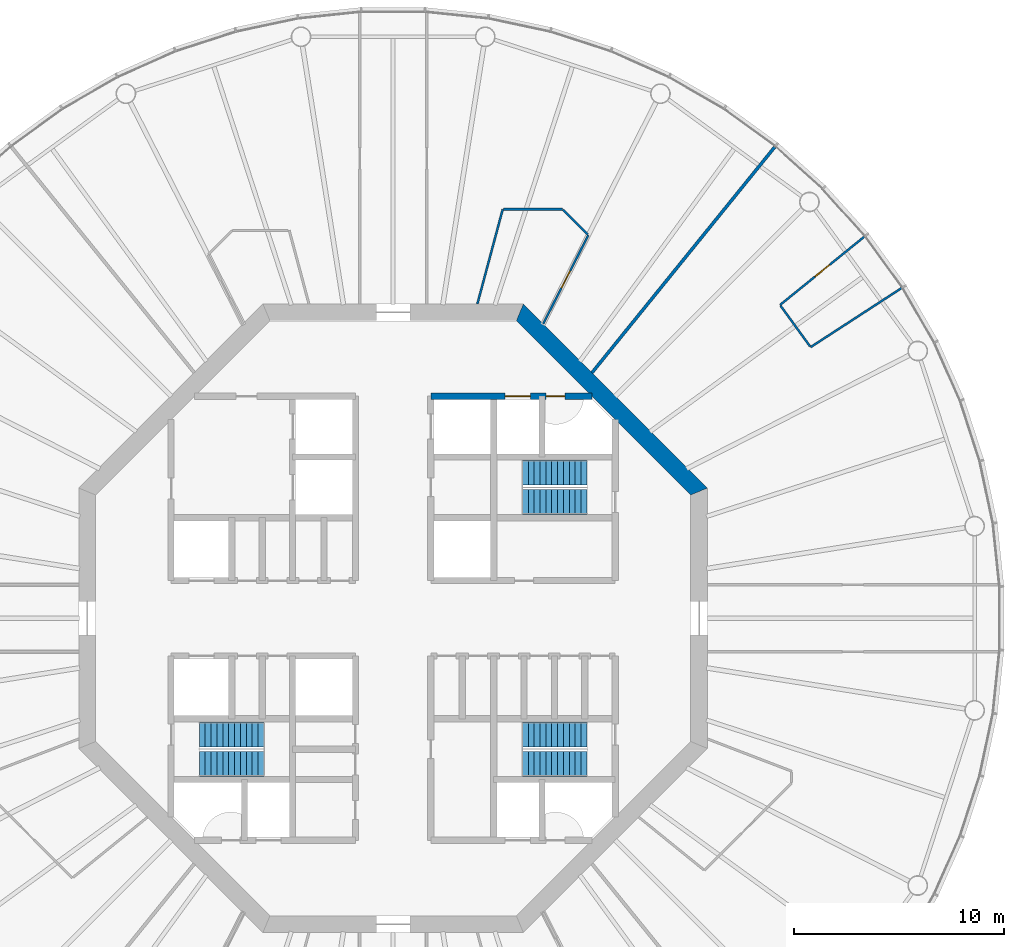
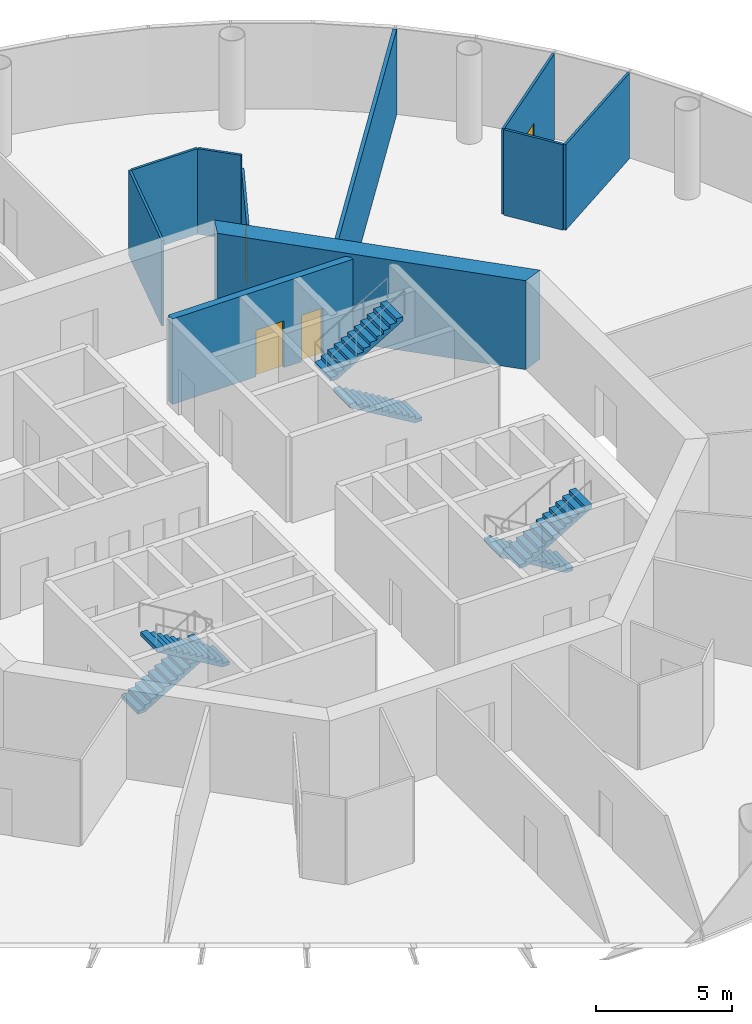
# One storey, part 6 of 13: 10 walls, 6 stair flights, 4 doors, 4 openings, 3 elements without a shape of their own.
"""IFC4 building model written with IfcOpenShell, lengths in metres."""

import ifcopenshell
import ifcopenshell.guid

model = None  # the IFC model being written
_history = None  # IfcOwnerHistory: only IFC2X3 demands one
_inside = {}  # id of a spatial element -> (the spatial element, [elements in it])
_under = {}  # id of a project, library or spatial element -> (it, [spatial elements below it])
_declared = {}  # id of a project -> (the project, [libraries it declares])
_typed = {}  # id of a type object -> (the type object, [elements of that type])
_made_of = {}  # id of a material, layer set ... -> (it, [elements and type objects made of it])


def new_model(schema):
    """Start an empty IFC model of exactly this schema.

    Asked for "IFC4X3", IfcOpenShell would pick the latest addendum, in which some entities
    have other attributes; the version numbers below select the first issue.
    IFC2X3 requires an IfcOwnerHistory on every rooted entity: one is made here for all.
    """
    global model, _history
    if schema == "IFC4X3":
        model = ifcopenshell.file(schema_version=(4, 3, 0, 0))
    else:
        model = ifcopenshell.file(schema=schema)
    _inside.clear()
    _under.clear()
    _declared.clear()
    _typed.clear()
    _made_of.clear()
    _history = None
    if model.schema == "IFC2X3":
        org = make("IfcOrganization", Name="unknown")
        user = make(
            "IfcPersonAndOrganization",
            ThePerson=make("IfcPerson", FamilyName="unknown"),
            TheOrganization=org,
        )
        app = make(
            "IfcApplication",
            ApplicationDeveloper=org,
            Version="unknown",
            ApplicationFullName="unknown",
            ApplicationIdentifier="unknown",
        )
        _history = make(
            "IfcOwnerHistory",
            OwningUser=user,
            OwningApplication=app,
            ChangeAction="ADDED",
            CreationDate=0,
        )
    return model


def make(cls, **values):
    """One entity of the class cls with the attributes given. An attribute that is None is left unset."""
    return model.create_entity(
        cls, **{name: value for name, value in values.items() if value is not None}
    )


def rooted(cls, **values):
    """An entity with a GlobalId (a new one), such as an element, a storey or a relation."""
    return make(cls, GlobalId=ifcopenshell.guid.new(), OwnerHistory=_history, **values)


def si_unit(unit_type, name, prefix=None):
    """IfcSIUnit, for example si_unit("LENGTHUNIT", "METRE", prefix="MILLI")."""
    return make("IfcSIUnit", UnitType=unit_type, Prefix=prefix, Name=name)


def assignment(units):
    """IfcUnitAssignment: the units of a project."""
    return None if units is None else make("IfcUnitAssignment", Units=units)


def point(xyz):
    """IfcCartesianPoint."""
    return None if xyz is None else make("IfcCartesianPoint", Coordinates=xyz)


def direction(xyz):
    """IfcDirection."""
    return None if xyz is None else make("IfcDirection", DirectionRatios=xyz)


def frame(location, z_axis=None, x_axis=None):
    """IfcAxis2Placement3D, a coordinate frame: its origin and axes. An axis left out is left unset."""
    return make(
        "IfcAxis2Placement3D",
        Location=point(location),
        Axis=direction(z_axis),
        RefDirection=direction(x_axis),
    )


def frame_2d(location, x_axis=None):
    """IfcAxis2Placement2D, a coordinate frame in the plane: its origin and x axis."""
    return make(
        "IfcAxis2Placement2D", Location=point(location), RefDirection=direction(x_axis)
    )


def origin():
    """The frame at (0, 0, 0) with its axes left unset."""
    return frame((0.0, 0.0, 0.0))


def place(relative_to, where):
    """IfcLocalPlacement: puts the frame where relative to a parent placement (None: the world)."""
    return make(
        "IfcLocalPlacement", PlacementRelTo=relative_to, RelativePlacement=where
    )


def context(
    kind, dimensions, precision=None, world=None, true_north=None, identifier=None
):
    """IfcGeometricRepresentationContext, for example the 3D "Model" context."""
    return make(
        "IfcGeometricRepresentationContext",
        ContextIdentifier=identifier,
        ContextType=kind,
        CoordinateSpaceDimension=dimensions,
        Precision=precision,
        WorldCoordinateSystem=world,
        TrueNorth=true_north,
    )


def subcontext(parent, identifier, kind, view, scale=None):
    """IfcGeometricRepresentationSubContext, for example "Body" below "Model"."""
    return make(
        "IfcGeometricRepresentationSubContext",
        ContextIdentifier=identifier,
        ContextType=kind,
        ParentContext=parent,
        TargetScale=scale,
        TargetView=view,
    )


def project(units=None, contexts=None):
    """IfcProject with its units and contexts."""
    return rooted(
        "IfcProject",
        Name="project",
        RepresentationContexts=contexts,
        UnitsInContext=assignment(units),
    )


def spatial(cls, under=None, at=None, **own):
    """A site, building, storey or space (cls), placed at a placement, below another one or the project."""
    s = rooted(cls, ObjectPlacement=at, **own)
    if under is not None:
        _under.setdefault(under.id(), (under, []))[1].append(s)
    return s


def polyline(points):
    """IfcPolyline through the points."""
    return make("IfcPolyline", Points=[point(p) for p in points])


def profile(cls, at=None, kind="AREA", **sizes):
    """A parametric profile (cls). Its sizes go by their IFC names, for example OverallWidth=200.0."""
    return make(cls, ProfileType=kind, Position=at, **sizes)


def rectangle(**sizes):
    """IfcRectangleProfileDef."""
    return profile("IfcRectangleProfileDef", **sizes)


def outline(outer, holes=None, kind="AREA"):
    """IfcArbitraryClosedProfileDef: a profile drawn as a closed curve; with holes, ...WithVoids."""
    if holes is None:
        return make("IfcArbitraryClosedProfileDef", ProfileType=kind, OuterCurve=outer)
    return make(
        "IfcArbitraryProfileDefWithVoids",
        ProfileType=kind,
        OuterCurve=outer,
        InnerCurves=holes,
    )


def extrude(swept, where, along, depth):
    """IfcExtrudedAreaSolid: the profile swept, set in the frame where, extruded along a direction by depth."""
    return make(
        "IfcExtrudedAreaSolid",
        SweptArea=swept,
        Position=where,
        ExtrudedDirection=direction(along),
        Depth=depth,
    )


def shape(context_of_items, identifier, shape_type, items):
    """IfcShapeRepresentation: the items that make up one representation, for example the "Body"."""
    return make(
        "IfcShapeRepresentation",
        ContextOfItems=context_of_items,
        RepresentationIdentifier=identifier,
        RepresentationType=shape_type,
        Items=items,
    )


def material(Name=None, Category=None):
    """IfcMaterial."""
    return make("IfcMaterial", Name=Name, Category=Category)


def layer(
    of_material, thickness, ventilated=None, Name=None, Category=None, Priority=None
):
    """IfcMaterialLayer: one layer of a wall or slab, of a material (None: an air gap)."""
    return make(
        "IfcMaterialLayer",
        Material=of_material,
        LayerThickness=thickness,
        IsVentilated=ventilated,
        Name=Name,
        Category=Category,
        Priority=Priority,
    )


def layer_set(layers, Name=None):
    """IfcMaterialLayerSet."""
    return make("IfcMaterialLayerSet", MaterialLayers=layers, LayerSetName=Name)


def made_of(thing, what):
    """Note that an element or type object is made of a material, layer set ...; save() writes the relation."""
    if what is not None:
        _made_of.setdefault(what.id(), (what, []))[1].append(thing)
    return thing


def type_object(cls, material=None, **own):
    """A type object (cls), such as IfcWallType, which elements share."""
    return made_of(rooted(cls, **own), material)


def element(
    cls,
    number,
    at=None,
    inside=None,
    cuts=None,
    type_object=None,
    material=None,
    context=None,
    identifier="Body",
    shape_type=None,
    held_by="IfcProductDefinitionShape",
    body=None,
    shapes=None,
    **own,
):
    """One element of the class cls, such as IfcWall. Its Tag is "e" and its number.

    at: its placement. inside: the storey or other place that contains it. cuts: it is an
    opening in that element (IfcRelVoidsElement). A single representation is given by context,
    identifier, shape_type and body (its items); several are given by shapes. held_by: the class
    of the entity that holds the representations. save() writes the other relations.
    """
    e = rooted(cls, Tag="e%d" % number, ObjectPlacement=at, **own)
    if body is not None:
        shapes = [shape(context, identifier, shape_type, body)]
    if shapes is not None:
        e.Representation = make(held_by, Representations=shapes)
    if inside is not None:
        _inside.setdefault(inside.id(), (inside, []))[1].append(e)
    if cuts is not None:
        rooted(
            "IfcRelVoidsElement", RelatingBuildingElement=cuts, RelatedOpeningElement=e
        )
    if type_object is not None:
        _typed.setdefault(type_object.id(), (type_object, []))[1].append(e)
    return made_of(e, material)


def fill(opening, filler):
    """IfcRelFillsElement: the door or window that sits in an opening."""
    return rooted(
        "IfcRelFillsElement",
        RelatingOpeningElement=opening,
        RelatedBuildingElement=filler,
    )


def aggregate(whole, parts):
    """IfcRelAggregates: a whole, such as a stair, and the parts it consists of."""
    return rooted("IfcRelAggregates", RelatingObject=whole, RelatedObjects=parts)


def save(model, path):
    """Write the relations noted so far, then the file.

    IfcRelAggregates (storeys below a building ...), IfcRelContainedInSpatialStructure (elements
    in a storey), IfcRelDefinesByType, IfcRelAssociatesMaterial and IfcRelDeclares: one each for
    every whole, place, type object, material and project.
    """
    for whole, parts in _under.values():
        aggregate(whole, parts)
    for where, things in _inside.values():
        rooted(
            "IfcRelContainedInSpatialStructure",
            RelatedElements=things,
            RelatingStructure=where,
        )
    for kind, things in _typed.values():
        rooted("IfcRelDefinesByType", RelatedObjects=things, RelatingType=kind)
    for what, things in _made_of.values():
        rooted("IfcRelAssociatesMaterial", RelatedObjects=things, RelatingMaterial=what)
    for by, libraries in _declared.values():
        rooted("IfcRelDeclares", RelatingContext=by, RelatedDefinitions=libraries)
    model.write(path)


model = new_model("IFC4")

# Units and contexts
model_context = context("Model", 3, precision=1e-05, world=origin(), true_north=direction((0.0, 1.0)))
body_context = subcontext(model_context, "Body", "Model", "MODEL_VIEW")
ifc_project = project(units=[si_unit("LENGTHUNIT", "METRE"), si_unit("AREAUNIT", "SQUARE_METRE"), si_unit("VOLUMEUNIT", "CUBIC_METRE"), si_unit("PLANEANGLEUNIT", "RADIAN"), si_unit("MASSUNIT", "GRAM", prefix="KILO")], contexts=[model_context])

# Site, building, storey
site_placement = place(None, origin())
site = spatial("IfcSite", under=ifc_project, at=site_placement, CompositionType="ELEMENT")
building_placement = place(site_placement, origin())
building = spatial("IfcBuilding", under=site, at=building_placement, Name="Entoto Ring Tower", CompositionType="ELEMENT")
storey_placement = place(building_placement, frame((0.0, 0.0, 286.0)))
storey = spatial("IfcBuildingStorey", under=building, at=storey_placement, Name="L65", CompositionType="ELEMENT", Elevation=286.0)

# Wall, openings, doors
ifc_material_1 = material(Name="Concrete C40/50", Category="concrete")
ifc_layer_1 = layer(ifc_material_1, 0.300048828125)
ifc_layer_set_1 = layer_set([ifc_layer_1], Name="Concrete C40/50")
wall_type_1 = type_object("IfcWallType", Name="Core enclosure wall 300 mm reinforced concrete", PredefinedType="SOLIDWALL", material=ifc_layer_set_1)
wall_1_placement = place(storey_placement, frame((91.800048828125, 90.60009765625, 0.0), z_axis=(0.0, 0.0, 1.0), x_axis=(1.0, 0.0, 0.0)))
wall_1 = element("IfcWall", 1, at=wall_1_placement, inside=storey, type_object=wall_type_1, Name="wall-L65-041", PredefinedType="SOLIDWALL", context=body_context, shape_type="SweptSolid", body=[
    extrude(rectangle(XDim=7.681640625, YDim=0.300048828125, at=frame_2d((3.8408203125, 0.0))), origin(), (0.0, 0.0, 1.0), 3.85009765625),
])
opening_1_placement = place(wall_1_placement, frame((3.550048828125, 0.0, 0.0)))
opening_1 = element("IfcOpeningElement", 2, at=opening_1_placement, cuts=wall_1, Name="Opening LD", PredefinedType="OPENING", context=body_context, shape_type="SweptSolid", body=[
    extrude(rectangle(XDim=1.199951171875, YDim=2.10009765625, at=frame_2d((0.60009765625, 1.050048828125))), frame((0.0, 0.16015625, 0.0), z_axis=(0.0, -1.0, 0.0), x_axis=(1.0, 0.0, 0.0)), (0.0, 0.0, 1.0), 0.320068359375),
])
opening_2_placement = place(wall_1_placement, frame((5.5, 0.0, 0.0)))
opening_2 = element("IfcOpeningElement", 3, at=opening_2_placement, cuts=wall_1, Name="Opening K-32", PredefinedType="OPENING", context=body_context, shape_type="SweptSolid", body=[
    extrude(rectangle(XDim=0.89990234375, YDim=2.10009765625, at=frame_2d((0.449951171875, 1.050048828125))), frame((0.0, 0.16015625, 0.0), z_axis=(0.0, -1.0, 0.0), x_axis=(1.0, 0.0, 0.0)), (0.0, 0.0, 1.0), 0.320068359375),
])
ifc_material_2 = material(Name="Steel and glass door leaf", Category="steel")
ifc_layer_2 = layer(ifc_material_2, 0.050048828125)
ifc_layer_set_2 = layer_set([ifc_layer_2], Name="Steel and glass door leaf")
door_type_1 = type_object("IfcDoorType", Name="Landing door 1200 x 2100 sliding", OperationType="DOUBLE_DOOR_SLIDING", PredefinedType="DOOR", material=ifc_layer_set_2)
door_1_placement = place(opening_1_placement, origin())
door_1 = element("IfcDoor", 4, at=door_1_placement, inside=storey, type_object=door_type_1, Name="Landing door LB1-HR", OperationType="SLIDING_TO_RIGHT", OverallHeight=2.10009765625, OverallWidth=1.199951171875, PredefinedType="DOOR", context=body_context, shape_type="SweptSolid", body=[
    extrude(rectangle(XDim=1.199951171875, YDim=2.10009765625, at=frame_2d((0.60009765625, 1.050048828125))), frame((0.0, 0.02490234375, 0.0), z_axis=(0.0, -1.0, 0.0), x_axis=(1.0, 0.0, 0.0)), (0.0, 0.0, 1.0), 0.050048828125),
])
fill(opening_1, door_1)
ifc_material_3 = material(Name="Steel door leaf, fire rated", Category="steel")
ifc_layer_3 = layer(ifc_material_3, 0.050048828125)
ifc_layer_set_3 = layer_set([ifc_layer_3], Name="Steel door leaf, fire rated")
door_type_2 = type_object("IfcDoorType", Name="Riser door FD60 900 x 2100 single leaf", OperationType="NOTDEFINED", PredefinedType="DOOR", material=ifc_layer_set_3)
door_2_placement = place(opening_2_placement, frame((0.89990234375, 0.0, 0.0), z_axis=(0.0, 0.0, 1.0), x_axis=(-1.0, 0.0, 0.0)))
door_2 = element("IfcDoor", 5, at=door_2_placement, inside=storey, type_object=door_type_2, Name="Door K-32", OperationType="SINGLE_SWING_RIGHT", OverallHeight=2.10009765625, OverallWidth=0.89990234375, PredefinedType="DOOR", context=body_context, shape_type="SweptSolid", body=[
    extrude(rectangle(XDim=0.89990234375, YDim=2.10009765625, at=frame_2d((0.449951171875, 1.050048828125))), frame((0.0, 0.02490234375, 0.0), z_axis=(0.0, -1.0, 0.0), x_axis=(1.0, 0.0, 0.0)), (0.0, 0.0, 1.0), 0.050048828125),
])
fill(opening_2, door_2)

# Wall
ifc_material_4 = material(Name="Concrete C40/50", Category="concrete")
ifc_layer_4 = layer(ifc_material_4, 0.800048828125)
ifc_layer_set_4 = layer_set([ifc_layer_4], Name="Concrete C40/50")
wall_type_2 = type_object("IfcWallType", Name="Core shear wall 800 mm reinforced concrete C40/50", PredefinedType="SHEAR", material=ifc_layer_set_4)
wall_2_placement = place(storey_placement, frame((104.60009765625, 86.047607421875, 0.0), z_axis=(0.0, 0.0, 1.0), x_axis=(-0.707106781187, 0.707106781187, 0.0)))
element("IfcWall", 6, at=wall_2_placement, inside=storey, type_object=wall_type_2, Name="wall-L65-core-1", PredefinedType="SHEAR", context=body_context, shape_type="SweptSolid", body=[
    extrude(outline(polyline([(-0.165771484375, -0.39990234375), (12.2607421875, -0.39990234375), (11.92919921875, 0.39990234375), (0.165771484375, 0.39990234375), (-0.165771484375, -0.39990234375)])), origin(), (0.0, 0.0, 1.0), 4.0),
])

# Wall, opening, door
ifc_material_5 = material(Name="Plasterboard on steel studs", Category="steel")
ifc_layer_5 = layer(ifc_material_5, 0.10009765625)
ifc_layer_set_5 = layer_set([ifc_layer_5], Name="Plasterboard on steel studs")
wall_type_3 = type_object("IfcWallType", Name="Partition 100 mm plasterboard on steel studs", PredefinedType="PARTITIONING", material=ifc_layer_set_5)
wall_3_placement = place(storey_placement, frame((108.465087890625, 94.95263671875, 0.0), z_axis=(0.0, 0.0, 1.0), x_axis=(0.777139487063, 0.629328386176, 0.0)))
wall_3 = element("IfcWall", 7, at=wall_3_placement, inside=storey, type_object=wall_type_3, Name="partition-L65-015", PredefinedType="PARTITIONING", context=body_context, shape_type="SweptSolid", body=[
    extrude(rectangle(XDim=5.1796875, YDim=0.10009765625, at=frame_2d((2.58984375, 0.0))), origin(), (0.0, 0.0, 1.0), 3.85009765625),
])
opening_3_placement = place(wall_3_placement, frame((2.139892578125, 0.0, 0.0)))
opening_3 = element("IfcOpeningElement", 8, at=opening_3_placement, cuts=wall_3, Name="Opening A29-D02", PredefinedType="OPENING", context=body_context, shape_type="SweptSolid", body=[
    extrude(rectangle(XDim=0.89990234375, YDim=2.10009765625, at=frame_2d((0.449951171875, 1.050048828125))), frame((0.0, 0.06005859375, 0.0), z_axis=(0.0, -1.0, 0.0), x_axis=(1.0, 0.0, 0.0)), (0.0, 0.0, 1.0), 0.1201171875),
])
ifc_material_6 = material(Name="Veneered timber door leaf in timber frame", Category="wood")
door_type_3 = type_object("IfcDoorType", Name="Door 900 x 2100 single leaf timber veneer", OperationType="NOTDEFINED", PredefinedType="DOOR", material=ifc_material_6)
door_3_placement = place(opening_3_placement, frame((0.89990234375, 0.0, 0.0), z_axis=(0.0, 0.0, 1.0), x_axis=(-1.0, 0.0, 0.0)))
door_3 = element("IfcDoor", 9, at=door_3_placement, inside=storey, type_object=door_type_3, Name="Door A29-D02", OperationType="SINGLE_SWING_LEFT", OverallHeight=2.10009765625, OverallWidth=0.89990234375, PredefinedType="DOOR", context=body_context, shape_type="SweptSolid", body=[
    extrude(rectangle(XDim=0.89990234375, YDim=2.10009765625, at=frame_2d((0.449951171875, 1.050048828125))), frame((0.0, 0.02490234375, 0.0), z_axis=(0.0, -1.0, 0.0), x_axis=(1.0, 0.0, 0.0)), (0.0, 0.0, 1.0), 0.050048828125),
])
fill(opening_3, door_3)

# Walls
wall_4_placement = place(storey_placement, frame((109.9267578125, 92.940673828125, 0.0), z_axis=(0.0, 0.0, 1.0), x_axis=(0.838661067594, 0.544653663994, 0.0)))
element("IfcWall", 10, at=wall_4_placement, inside=storey, type_object=wall_type_3, Name="partition-L65-016", PredefinedType="PARTITIONING", context=body_context, shape_type="SweptSolid", body=[
    extrude(rectangle(XDim=5.179931640625, YDim=0.10009765625, at=frame_2d((2.58984375, 0.0))), origin(), (0.0, 0.0, 1.0), 3.85009765625),
])
wall_5_placement = place(storey_placement, frame((94.019287109375, 95.0, 0.0), z_axis=(0.0, 0.0, 1.0), x_axis=(0.258828228202, 0.965923365638, 0.0)))
element("IfcWall", 11, at=wall_5_placement, inside=storey, type_object=wall_type_3, Name="partition-L65-019", PredefinedType="PARTITIONING", context=body_context, shape_type="SweptSolid", body=[
    extrude(rectangle(XDim=4.679443359375, YDim=0.10009765625, at=frame_2d((2.33984375, 0.0))), origin(), (0.0, 0.0, 1.0), 3.85009765625),
])
wall_6_placement = place(storey_placement, frame((95.278564453125, 99.52001953125, 0.0), z_axis=(0.0, 0.0, 1.0), x_axis=(1.0, 0.0, 0.0)))
element("IfcWall", 12, at=wall_6_placement, inside=storey, type_object=wall_type_3, Name="partition-L65-031", PredefinedType="PARTITIONING", context=body_context, shape_type="SweptSolid", body=[
    extrude(rectangle(XDim=2.806884765625, YDim=0.10009765625, at=frame_2d((1.4033203125, 0.0))), origin(), (0.0, 0.0, 1.0), 3.85009765625),
])
wall_7_placement = place(storey_placement, frame((109.8974609375, 92.98095703125, 0.0), z_axis=(0.0, 0.0, 1.0), x_axis=(-0.587739872893, 0.809049962494, 0.0)))
element("IfcWall", 13, at=wall_7_placement, inside=storey, type_object=wall_type_3, Name="partition-L65-036", PredefinedType="PARTITIONING", context=body_context, shape_type="SweptSolid", body=[
    extrude(rectangle(XDim=2.38720703125, YDim=0.10009765625, at=frame_2d((1.193603515625, 0.0))), origin(), (0.0, 0.0, 1.0), 3.85009765625),
])
wall_8_placement = place(storey_placement, frame((99.284423828125, 98.321044921875, 0.0), z_axis=(0.0, 0.0, 1.0), x_axis=(-0.707106781187, 0.707106781187, 0.0)))
element("IfcWall", 14, at=wall_8_placement, inside=storey, type_object=wall_type_3, Name="partition-L65-037", PredefinedType="PARTITIONING", context=body_context, shape_type="SweptSolid", body=[
    extrude(rectangle(XDim=1.660400390625, YDim=0.10009765625, at=frame_2d((0.830078125, 0.0))), origin(), (0.0, 0.0, 1.0), 3.85009765625),
])

# Wall, opening, door
ifc_material_7 = material(Name="Plasterboard on steel studs", Category="steel")
ifc_layer_6 = layer(ifc_material_7, 0.10009765625)
ifc_layer_set_6 = layer_set([ifc_layer_6], Name="Plasterboard on steel studs")
wall_type_4 = type_object("IfcWallType", Name="Partition 100 mm plasterboard on steel studs, 3250 mm high", PredefinedType="PARTITIONING", material=ifc_layer_set_6)
wall_9_placement = place(storey_placement, frame((97.160400390625, 94.052978515625, 0.0), z_axis=(0.0, 0.0, 1.0), x_axis=(0.453961179958, 0.891021462756, 0.0)))
wall_9 = element("IfcWall", 15, at=wall_9_placement, inside=storey, type_object=wall_type_4, Name="partition-L65-018", PredefinedType="PARTITIONING", context=body_context, shape_type="SweptSolid", body=[
    extrude(rectangle(XDim=4.75244140625, YDim=0.10009765625, at=frame_2d((2.376220703125, 0.0))), origin(), (0.0, 0.0, 1.0), 3.25),
])
opening_4_placement = place(wall_9_placement, frame((1.92626953125, 0.0, 0.0)))
opening_4 = element("IfcOpeningElement", 16, at=opening_4_placement, cuts=wall_9, Name="Opening A29-D04", PredefinedType="OPENING", context=body_context, shape_type="SweptSolid", body=[
    extrude(rectangle(XDim=0.89990234375, YDim=2.10009765625, at=frame_2d((0.449951171875, 1.050048828125))), frame((0.0, 0.06005859375, 0.0), z_axis=(0.0, -1.0, 0.0), x_axis=(1.0, 0.0, 0.0)), (0.0, 0.0, 1.0), 0.1201171875),
])
door_4_placement = place(opening_4_placement, origin())
door_4 = element("IfcDoor", 17, at=door_4_placement, inside=storey, type_object=door_type_3, Name="Door A29-D04", OperationType="SINGLE_SWING_LEFT", OverallHeight=2.10009765625, OverallWidth=0.89990234375, PredefinedType="DOOR", context=body_context, shape_type="SweptSolid", body=[
    extrude(rectangle(XDim=0.89990234375, YDim=2.10009765625, at=frame_2d((0.449951171875, 1.050048828125))), frame((0.0, 0.02490234375, 0.0), z_axis=(0.0, -1.0, 0.0), x_axis=(1.0, 0.0, 0.0)), (0.0, 0.0, 1.0), 0.050048828125),
])
fill(opening_4, door_4)

# Wall
ifc_material_8 = material(Name="Fire-resisting acoustic plasterboard on steel studs", Category="steel")
ifc_layer_7 = layer(ifc_material_8, 0.14990234375)
ifc_layer_set_7 = layer_set([ifc_layer_7], Name="Fire-resisting acoustic plasterboard on steel studs")
wall_type_5 = type_object("IfcWallType", Name="Party wall 150 mm one-hour acoustic plasterboard on steel studs", PredefinedType="PARTITIONING", material=ifc_layer_set_7)
wall_10_placement = place(storey_placement, frame((99.49169921875, 91.721435546875, 0.0), z_axis=(0.0, 0.0, 1.0), x_axis=(0.629324927109, 0.777142288207, 0.0)))
element("IfcWall", 18, at=wall_10_placement, inside=storey, type_object=wall_type_5, Name="partition-L65-011", PredefinedType="PARTITIONING", context=body_context, shape_type="SweptSolid", body=[
    extrude(rectangle(XDim=13.857177734375, YDim=0.14990234375, at=frame_2d((6.9287109375, 0.0))), origin(), (0.0, 0.0, 1.0), 3.85009765625),
])

# Stair, stair flights
ifc_material_9 = material(Name="Concrete C40/50", Category="concrete")
stair_type = type_object("IfcStairType", Name="Exit stair 1200 mm dog-leg reinforced concrete", PredefinedType="HALF_TURN_STAIR", material=ifc_material_9)
stair_1_placement = place(storey_placement, origin())
stair_1 = element("IfcStair", 19, at=stair_1_placement, inside=storey, type_object=stair_type, Name="Exit stair 1", PredefinedType="HALF_TURN_STAIR")
ifc_material_10 = material(Name="Concrete C40/50", Category="concrete")
stair_flight_type = type_object("IfcStairFlightType", Name="Stair flight 1200 mm reinforced concrete", PredefinedType="STRAIGHT", material=ifc_material_10)
stair_flight_1_placement = place(storey_placement, frame((99.25, 85.550048828125, 0.0), z_axis=(0.0, 0.0, 1.0), x_axis=(-1.0, 0.0, 0.0)))
stair_flight_1 = element("IfcStairFlight", 20, at=stair_flight_1_placement, type_object=stair_flight_type, Name="ST1 flight 1", NumberOfRisers=12, NumberOfTreads=11, PredefinedType="STRAIGHT", RiserHeight=0.166666667, TreadLength=0.28, context=body_context, shape_type="SweptSolid", body=[
    extrude(outline(polyline([(0.0, 0.0), (0.0, 0.166748046875), (0.280029296875, 0.166748046875), (0.280029296875, 0.333251953125), (0.56005859375, 0.333251953125), (0.56005859375, 0.5), (0.840087890625, 0.5), (0.840087890625, 0.666748046875), (1.1201171875, 0.666748046875), (1.1201171875, 0.833251953125), (1.39990234375, 0.833251953125), (1.39990234375, 1.0), (1.679931640625, 1.0), (1.679931640625, 1.166748046875), (1.9599609375, 1.166748046875), (1.9599609375, 1.333251953125), (2.239990234375, 1.333251953125), (2.239990234375, 1.5), (2.52001953125, 1.5), (2.52001953125, 1.666748046875), (2.800048828125, 1.666748046875), (2.800048828125, 1.833251953125), (3.080078125, 1.833251953125), (3.080078125, 2.0), (3.080078125, 1.658935546875), (0.29296875, 0.0), (0.0, 0.0)])), frame((0.0, 0.60009765625, 0.0), z_axis=(0.0, -1.0, 0.0), x_axis=(1.0, 0.0, 0.0)), (0.0, 0.0, 1.0), 1.199951171875),
])
stair_flight_2_placement = place(storey_placement, frame((96.169921875, 86.949951171875, 2.0), z_axis=(0.0, 0.0, 1.0), x_axis=(1.0, 0.0, 0.0)))
stair_flight_2 = element("IfcStairFlight", 21, at=stair_flight_2_placement, type_object=stair_flight_type, Name="ST1 flight 2", NumberOfRisers=12, NumberOfTreads=11, PredefinedType="STRAIGHT", RiserHeight=0.166666667, TreadLength=0.28, context=body_context, shape_type="SweptSolid", body=[
    extrude(outline(polyline([(0.0, 0.0), (0.0, 0.166748046875), (0.280029296875, 0.166748046875), (0.280029296875, 0.333251953125), (0.56005859375, 0.333251953125), (0.56005859375, 0.5), (0.840087890625, 0.5), (0.840087890625, 0.666748046875), (1.1201171875, 0.666748046875), (1.1201171875, 0.833251953125), (1.39990234375, 0.833251953125), (1.39990234375, 1.0), (1.679931640625, 1.0), (1.679931640625, 1.166748046875), (1.9599609375, 1.166748046875), (1.9599609375, 1.333251953125), (2.239990234375, 1.333251953125), (2.239990234375, 1.5), (2.52001953125, 1.5), (2.52001953125, 1.666748046875), (2.800048828125, 1.666748046875), (2.800048828125, 1.833251953125), (3.080078125, 1.833251953125), (3.080078125, 2.0), (3.080078125, 1.658935546875), (0.29296875, 0.0), (0.0, 0.0)])), frame((0.0, 0.60009765625, 0.0), z_axis=(0.0, -1.0, 0.0), x_axis=(1.0, 0.0, 0.0)), (0.0, 0.0, 1.0), 1.199951171875),
])
aggregate(stair_1, [stair_flight_1, stair_flight_2])

stair_2_placement = place(storey_placement, origin())
stair_2 = element("IfcStair", 22, at=stair_2_placement, inside=storey, type_object=stair_type, Name="Exit stair 2", PredefinedType="HALF_TURN_STAIR")
stair_flight_3_placement = place(storey_placement, frame((80.75, 74.449951171875, 0.0), z_axis=(0.0, 0.0, 1.0), x_axis=(1.0, 0.0, 0.0)))
stair_flight_3 = element("IfcStairFlight", 23, at=stair_flight_3_placement, type_object=stair_flight_type, Name="ST2 flight 1", NumberOfRisers=12, NumberOfTreads=11, PredefinedType="STRAIGHT", RiserHeight=0.166666667, TreadLength=0.28, context=body_context, shape_type="SweptSolid", body=[
    extrude(outline(polyline([(0.0, 0.0), (0.0, 0.166748046875), (0.280029296875, 0.166748046875), (0.280029296875, 0.333251953125), (0.56005859375, 0.333251953125), (0.56005859375, 0.5), (0.840087890625, 0.5), (0.840087890625, 0.666748046875), (1.1201171875, 0.666748046875), (1.1201171875, 0.833251953125), (1.39990234375, 0.833251953125), (1.39990234375, 1.0), (1.679931640625, 1.0), (1.679931640625, 1.166748046875), (1.9599609375, 1.166748046875), (1.9599609375, 1.333251953125), (2.239990234375, 1.333251953125), (2.239990234375, 1.5), (2.52001953125, 1.5), (2.52001953125, 1.666748046875), (2.800048828125, 1.666748046875), (2.800048828125, 1.833251953125), (3.080078125, 1.833251953125), (3.080078125, 2.0), (3.080078125, 1.658935546875), (0.29296875, 0.0), (0.0, 0.0)])), frame((0.0, 0.60009765625, 0.0), z_axis=(0.0, -1.0, 0.0), x_axis=(1.0, 0.0, 0.0)), (0.0, 0.0, 1.0), 1.199951171875),
])
stair_flight_4_placement = place(storey_placement, frame((83.830078125, 73.050048828125, 2.0), z_axis=(0.0, 0.0, 1.0), x_axis=(-1.0, 0.0, 0.0)))
stair_flight_4 = element("IfcStairFlight", 24, at=stair_flight_4_placement, type_object=stair_flight_type, Name="ST2 flight 2", NumberOfRisers=12, NumberOfTreads=11, PredefinedType="STRAIGHT", RiserHeight=0.166666667, TreadLength=0.28, context=body_context, shape_type="SweptSolid", body=[
    extrude(outline(polyline([(0.0, 0.0), (0.0, 0.166748046875), (0.280029296875, 0.166748046875), (0.280029296875, 0.333251953125), (0.56005859375, 0.333251953125), (0.56005859375, 0.5), (0.840087890625, 0.5), (0.840087890625, 0.666748046875), (1.1201171875, 0.666748046875), (1.1201171875, 0.833251953125), (1.39990234375, 0.833251953125), (1.39990234375, 1.0), (1.679931640625, 1.0), (1.679931640625, 1.166748046875), (1.9599609375, 1.166748046875), (1.9599609375, 1.333251953125), (2.239990234375, 1.333251953125), (2.239990234375, 1.5), (2.52001953125, 1.5), (2.52001953125, 1.666748046875), (2.800048828125, 1.666748046875), (2.800048828125, 1.833251953125), (3.080078125, 1.833251953125), (3.080078125, 2.0), (3.080078125, 1.658935546875), (0.29296875, 0.0), (0.0, 0.0)])), frame((0.0, 0.60009765625, 0.0), z_axis=(0.0, -1.0, 0.0), x_axis=(1.0, 0.0, 0.0)), (0.0, 0.0, 1.0), 1.199951171875),
])
aggregate(stair_2, [stair_flight_3, stair_flight_4])

stair_3_placement = place(storey_placement, origin())
stair_3 = element("IfcStair", 25, at=stair_3_placement, inside=storey, type_object=stair_type, Name="Exit stair 3", PredefinedType="HALF_TURN_STAIR")
stair_flight_5_placement = place(storey_placement, frame((99.25, 74.449951171875, 0.0), z_axis=(0.0, 0.0, 1.0), x_axis=(-1.0, 0.0, 0.0)))
stair_flight_5 = element("IfcStairFlight", 26, at=stair_flight_5_placement, type_object=stair_flight_type, Name="ST3 flight 1", NumberOfRisers=12, NumberOfTreads=11, PredefinedType="STRAIGHT", RiserHeight=0.166666667, TreadLength=0.28, context=body_context, shape_type="SweptSolid", body=[
    extrude(outline(polyline([(0.0, 0.0), (0.0, 0.166748046875), (0.280029296875, 0.166748046875), (0.280029296875, 0.333251953125), (0.56005859375, 0.333251953125), (0.56005859375, 0.5), (0.840087890625, 0.5), (0.840087890625, 0.666748046875), (1.1201171875, 0.666748046875), (1.1201171875, 0.833251953125), (1.39990234375, 0.833251953125), (1.39990234375, 1.0), (1.679931640625, 1.0), (1.679931640625, 1.166748046875), (1.9599609375, 1.166748046875), (1.9599609375, 1.333251953125), (2.239990234375, 1.333251953125), (2.239990234375, 1.5), (2.52001953125, 1.5), (2.52001953125, 1.666748046875), (2.800048828125, 1.666748046875), (2.800048828125, 1.833251953125), (3.080078125, 1.833251953125), (3.080078125, 2.0), (3.080078125, 1.658935546875), (0.29296875, 0.0), (0.0, 0.0)])), frame((0.0, 0.60009765625, 0.0), z_axis=(0.0, -1.0, 0.0), x_axis=(1.0, 0.0, 0.0)), (0.0, 0.0, 1.0), 1.199951171875),
])
stair_flight_6_placement = place(storey_placement, frame((96.169921875, 73.050048828125, 2.0), z_axis=(0.0, 0.0, 1.0), x_axis=(1.0, 0.0, 0.0)))
stair_flight_6 = element("IfcStairFlight", 27, at=stair_flight_6_placement, type_object=stair_flight_type, Name="ST3 flight 2", NumberOfRisers=12, NumberOfTreads=11, PredefinedType="STRAIGHT", RiserHeight=0.166666667, TreadLength=0.28, context=body_context, shape_type="SweptSolid", body=[
    extrude(outline(polyline([(0.0, 0.0), (0.0, 0.166748046875), (0.280029296875, 0.166748046875), (0.280029296875, 0.333251953125), (0.56005859375, 0.333251953125), (0.56005859375, 0.5), (0.840087890625, 0.5), (0.840087890625, 0.666748046875), (1.1201171875, 0.666748046875), (1.1201171875, 0.833251953125), (1.39990234375, 0.833251953125), (1.39990234375, 1.0), (1.679931640625, 1.0), (1.679931640625, 1.166748046875), (1.9599609375, 1.166748046875), (1.9599609375, 1.333251953125), (2.239990234375, 1.333251953125), (2.239990234375, 1.5), (2.52001953125, 1.5), (2.52001953125, 1.666748046875), (2.800048828125, 1.666748046875), (2.800048828125, 1.833251953125), (3.080078125, 1.833251953125), (3.080078125, 2.0), (3.080078125, 1.658935546875), (0.29296875, 0.0), (0.0, 0.0)])), frame((0.0, 0.60009765625, 0.0), z_axis=(0.0, -1.0, 0.0), x_axis=(1.0, 0.0, 0.0)), (0.0, 0.0, 1.0), 1.199951171875),
])
aggregate(stair_3, [stair_flight_5, stair_flight_6])

save(model, "model.ifc")
